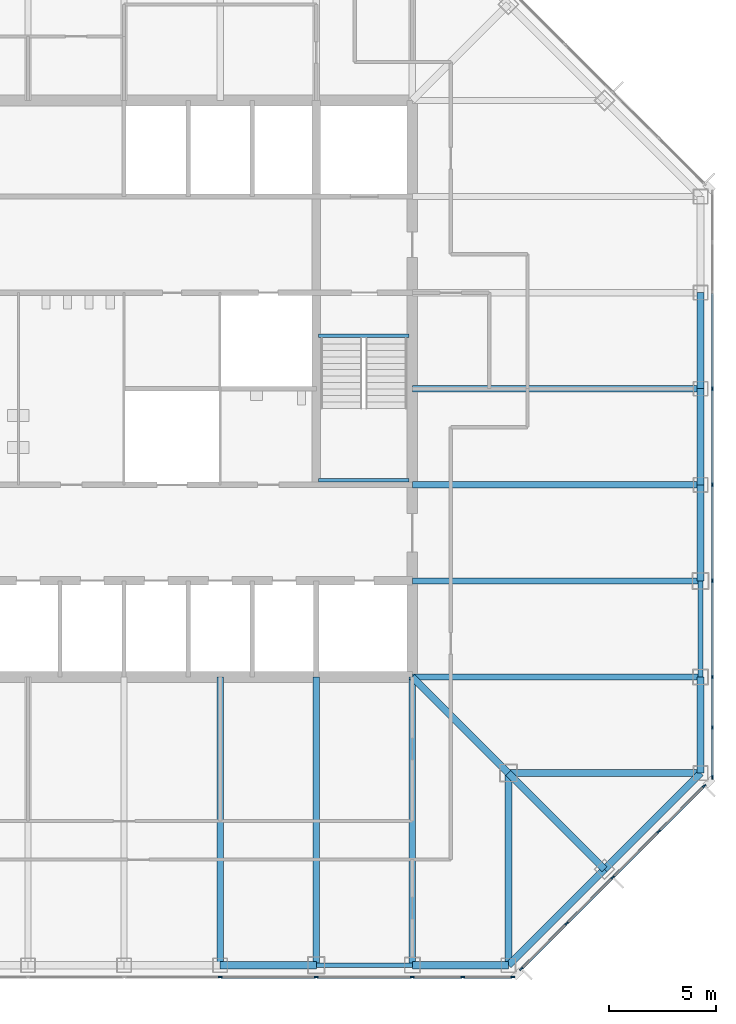
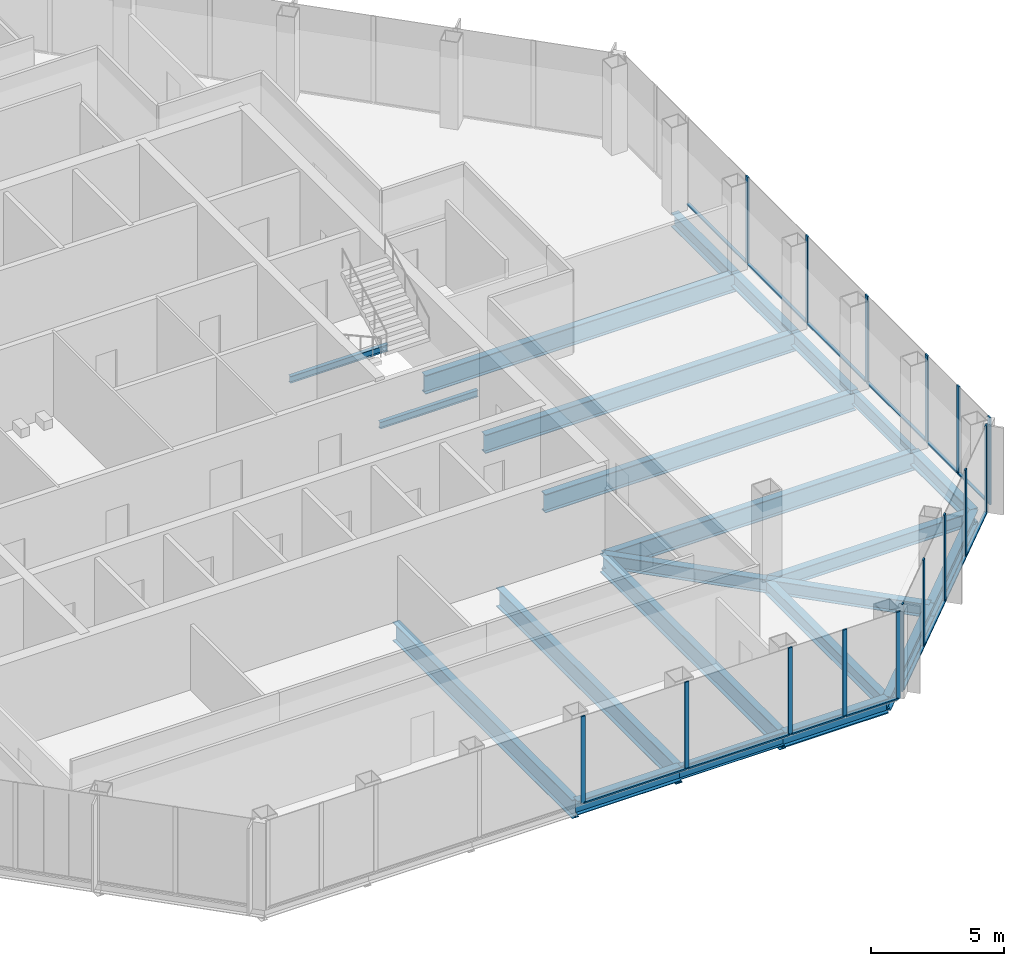
# One storey, part 4 of 13: 30 members, 23 beams, 3 elements without a shape of their own.
"""IFC4 building model written with IfcOpenShell, lengths in metres."""

from ifc_helpers import new_model, si_unit, direction, frame, origin, origin_2d, place, context, subcontext, project, spatial, rectangle, i_section, extrude, material, material_profile, profile_set, type_object, element, aggregate, save


model = new_model("IFC4")

# Units and contexts
model_context = context("Model", 3, precision=1e-05, world=origin(), true_north=direction((0.0, 1.0)))
body_context = subcontext(model_context, "Body", "Model", "MODEL_VIEW")
ifc_project = project(units=[si_unit("LENGTHUNIT", "METRE"), si_unit("AREAUNIT", "SQUARE_METRE"), si_unit("VOLUMEUNIT", "CUBIC_METRE"), si_unit("PLANEANGLEUNIT", "RADIAN"), si_unit("MASSUNIT", "GRAM", prefix="KILO")], contexts=[model_context])

# Site, building, storey
site_placement = place(None, origin())
site = spatial("IfcSite", under=ifc_project, at=site_placement, CompositionType="ELEMENT")
building_placement = place(site_placement, origin())
building = spatial("IfcBuilding", under=site, at=building_placement, Name="Corais Broadcast Tower", CompositionType="ELEMENT")
storey_placement = place(building_placement, frame((0.0, 0.0, 171.60009765625)))
storey = spatial("IfcBuildingStorey", under=building, at=storey_placement, Name="L39", CompositionType="ELEMENT", Elevation=171.60009765625)

# Beams
ifc_material_1 = material(Name="Steel ASTM A572 Grade 50", Category="steel")
ifc_material_profile_1 = material_profile(ifc_material_1, i_section(OverallWidth=0.323974609375, OverallDepth=0.611083984375, WebThickness=0.0126953125, FlangeThickness=0.01904296875, at=origin_2d()), Name="W610x155")
ifc_profile_set_1 = profile_set([ifc_material_profile_1], Name="Steel ASTM A572 Grade 50")
beam_type_1 = type_object("IfcBeamType", Name="Chamfer tie W610x155", PredefinedType="BEAM", material=ifc_profile_set_1)
beam_1_placement = place(storey_placement, frame((49.5, 4.5, -0.465576171875), z_axis=(-0.707106781187, 0.707106781187, 0.0), x_axis=(-0.707106781187, -0.707106781187, 0.0)))
element("IfcBeam", 1, at=beam_1_placement, inside=storey, type_object=beam_type_1, Name="B5 B/14 to C/13", PredefinedType="BEAM", context=body_context, shape_type="SweptSolid", body=[
    extrude(i_section(OverallWidth=0.323974609375, OverallDepth=0.611083984375, WebThickness=0.0126953125, FlangeThickness=0.01904296875, at=origin_2d()), origin(), (0.0, 0.0, 1.0), 6.364013671875),
])
ifc_material_2 = material(Name="Steel ASTM A572 Grade 50", Category="steel")
ifc_material_profile_2 = material_profile(ifc_material_2, i_section(OverallWidth=0.323974609375, OverallDepth=0.611083984375, WebThickness=0.0126953125, FlangeThickness=0.01904296875, at=origin_2d()), Name="W610x155")
ifc_profile_set_2 = profile_set([ifc_material_profile_2], Name="Steel ASTM A572 Grade 50")
beam_type_2 = type_object("IfcBeamType", Name="Corner diagonal W610x155", PredefinedType="BEAM", material=ifc_profile_set_2)
beam_2_placement = place(storey_placement, frame((45.0, 9.0, -0.465576171875), z_axis=(-0.707106781187, 0.707106781187, 0.0), x_axis=(-0.707106781187, -0.707106781187, 0.0)))
element("IfcBeam", 2, at=beam_2_placement, inside=storey, type_object=beam_type_2, Name="B6 C/13 to D/12", PredefinedType="BEAM", context=body_context, shape_type="SweptSolid", body=[
    extrude(i_section(OverallWidth=0.323974609375, OverallDepth=0.611083984375, WebThickness=0.0126953125, FlangeThickness=0.01904296875, at=origin_2d()), origin(), (0.0, 0.0, 1.0), 6.364013671875),
])
ifc_material_3 = material(Name="Steel ASTM A572 Grade 50", Category="steel")
ifc_material_profile_3 = material_profile(ifc_material_3, i_section(OverallWidth=0.323974609375, OverallDepth=0.611083984375, WebThickness=0.0126953125, FlangeThickness=0.01904296875, at=origin_2d()), Name="W610x155")
ifc_profile_set_3 = profile_set([ifc_material_profile_3], Name="Steel ASTM A572 Grade 50")
beam_type_3 = type_object("IfcBeamType", Name="Corner girder W610x155", PredefinedType="BEAM", material=ifc_profile_set_3)
for number, where, z_axis, x_axis, name in (
    (3, (45.0, 0.0, -0.465576171875), (0.0, 1.0, 0.0), (-1.0, 0.0, 0.0), "B4 A/13 to C/13"),
    (4, (54.0, 9.0, -0.465576171875), (-1.0, 0.0, 0.0), (0.0, -1.0, 0.0), "B4 C/15 to C/13"),
):
    element("IfcBeam", number, at=place(storey_placement, frame(where, z_axis=z_axis, x_axis=x_axis)), inside=storey, type_object=beam_type_3, Name=name, PredefinedType="BEAM", context=body_context, shape_type="SweptSolid", body=[
        extrude(i_section(OverallWidth=0.323974609375, OverallDepth=0.611083984375, WebThickness=0.0126953125, FlangeThickness=0.01904296875, at=origin_2d()), origin(), (0.0, 0.0, 1.0), 9.0),
    ])
ifc_material_4 = material(Name="Steel ASTM A572 Grade 50", Category="steel")
ifc_material_profile_4 = material_profile(ifc_material_4, i_section(OverallWidth=0.337890625, OverallDepth=0.677978515625, WebThickness=0.029541015625, FlangeThickness=0.052978515625, at=origin_2d()), Name="W610x415")
ifc_profile_set_4 = profile_set([ifc_material_profile_4], Name="Steel ASTM A572 Grade 50")
beam_type_4 = type_object("IfcBeamType", Name="Corner spandrel W610x415", PredefinedType="BEAM", material=ifc_profile_set_4)
for number, where, z_axis, x_axis, name in (
    (5, (40.5, 0.0, -0.4990234375), (1.0, 0.0, 0.0), (0.0, 1.0, 0.0), "SB10 A/12 to A/13"),
    (6, (54.0, 9.0, -0.4990234375), (0.0, 1.0, 0.0), (-1.0, 0.0, 0.0), "SB10 C/15 to D/15"),
):
    element("IfcBeam", number, at=place(storey_placement, frame(where, z_axis=z_axis, x_axis=x_axis)), inside=storey, type_object=beam_type_4, Name=name, PredefinedType="BEAM", context=body_context, shape_type="SweptSolid", body=[
        extrude(i_section(OverallWidth=0.337890625, OverallDepth=0.677978515625, WebThickness=0.029541015625, FlangeThickness=0.052978515625, at=origin_2d()), origin(), (0.0, 0.0, 1.0), 4.5),
    ])
ifc_material_5 = material(Name="Steel ASTM A572 Grade 50", Category="steel")
ifc_material_profile_5 = material_profile(ifc_material_5, i_section(OverallWidth=0.2939453125, OverallDepth=0.85107421875, WebThickness=0.01611328125, FlangeThickness=0.02685546875, at=origin_2d()), Name="W840x226")
ifc_profile_set_5 = profile_set([ifc_material_profile_5], Name="Steel ASTM A572 Grade 50")
beam_type_5 = type_object("IfcBeamType", Name="Floor beam W840x226", PredefinedType="BEAM", material=ifc_profile_set_5)
for number, where, z_axis, x_axis, name in (
    (7, (31.5, 0.0, -0.585693359375), (0.0, 1.0, 0.0), (-1.0, 0.0, 0.0), "B1 A/10 to D/10"),
    (8, (36.0, 0.0, -0.585693359375), (0.0, 1.0, 0.0), (-1.0, 0.0, 0.0), "B1 A/11 to D/11"),
    (9, (40.5, 0.0, -0.585693359375), (0.0, 1.0, 0.0), (-1.0, 0.0, 0.0), "B1 A/12 to D/12"),
    (10, (54.0, 13.5, -0.585693359375), (-1.0, 0.0, 0.0), (0.0, -1.0, 0.0), "B1 D/15 to D/12"),
    (11, (54.0, 18.0, -0.585693359375), (-1.0, 0.0, 0.0), (0.0, -1.0, 0.0), "B1 E/15 to E/12"),
    (12, (54.0, 22.5, -0.585693359375), (-1.0, 0.0, 0.0), (0.0, -1.0, 0.0), "B1 F/15 to F/12"),
    (13, (54.0, 27.0, -0.585693359375), (-1.0, 0.0, 0.0), (0.0, -1.0, 0.0), "B1 G/15 to G/12"),
):
    element("IfcBeam", number, at=place(storey_placement, frame(where, z_axis=z_axis, x_axis=x_axis)), inside=storey, type_object=beam_type_5, Name=name, PredefinedType="BEAM", context=body_context, shape_type="SweptSolid", body=[
        extrude(i_section(OverallWidth=0.2939453125, OverallDepth=0.85107421875, WebThickness=0.01611328125, FlangeThickness=0.02685546875, at=origin_2d()), origin(), (0.0, 0.0, 1.0), 13.5),
    ])
ifc_material_6 = material(Name="Steel ASTM A572 Grade 50", Category="steel")
ifc_material_profile_6 = material_profile(ifc_material_6, i_section(OverallWidth=0.1650390625, OverallDepth=0.31005859375, WebThickness=0.005859375, FlangeThickness=0.009765625, at=origin_2d()), Name="W310x38.7")
ifc_profile_set_6 = profile_set([ifc_material_profile_6], Name="Steel ASTM A572 Grade 50")
beam_type_6 = type_object("IfcBeamType", Name="Landing trimmer W310x38.7", PredefinedType="BEAM", material=ifc_profile_set_6)
for number, where, z_axis, x_axis, name in (
    (14, (36.10009765625, 29.47509765625, -0.35498046875), (1.0, 0.0, 0.0), (0.0, 1.0, 0.0), "LT1 stair B landing trimmer L39"),
    (15, (36.10009765625, 22.715087890625, 1.64501953125), (1.0, 0.0, 0.0), (0.0, 1.0, 0.0), "LT1 stair B half landing trimmer L39"),
):
    element("IfcBeam", number, at=place(storey_placement, frame(where, z_axis=z_axis, x_axis=x_axis)), inside=storey, type_object=beam_type_6, Name=name, PredefinedType="BEAM", context=body_context, shape_type="SweptSolid", body=[
        extrude(i_section(OverallWidth=0.1650390625, OverallDepth=0.31005859375, WebThickness=0.005859375, FlangeThickness=0.009765625, at=origin_2d()), origin(), (0.0, 0.0, 1.0), 4.25),
    ])

# Curtain wall, members
ifc_material_7 = material(Name="Aluminium and glass", Category="aluminium")
curtain_wall_type = type_object("IfcCurtainWallType", Name="Unitised fritted curtain wall CW2", PredefinedType="NOTDEFINED", material=ifc_material_7)
curtain_wall_1_placement = place(storey_placement, origin())
curtain_wall_1 = element("IfcCurtainWall", 16, at=curtain_wall_1_placement, inside=storey, type_object=curtain_wall_type, Name="CW2 curtain wall L39 6", PredefinedType="NOTDEFINED")
ifc_material_8 = material(Name="Aluminium 6063-T6", Category="aluminium")
ifc_material_profile_7 = material_profile(ifc_material_8, rectangle(XDim=0.06494140625, YDim=0.179931640625, at=origin_2d()), Name="Mullion CW2 65x180")
ifc_profile_set_7 = profile_set([ifc_material_profile_7], Name="Aluminium 6063-T6")
member_type_1 = type_object("IfcMemberType", Name="Mullion CW2 65x180", PredefinedType="MULLION", material=ifc_profile_set_7)
member_1_placement = place(storey_placement, frame((54.550048828125, 27.0, 0.0), z_axis=(0.0, 0.0, 1.0), x_axis=(1.0, 0.0, 0.0)))
member_1 = element("IfcMember", 17, at=member_1_placement, type_object=member_type_1, Name="CW2 mullion 4", PredefinedType="MULLION", context=body_context, shape_type="SweptSolid", body=[
    extrude(rectangle(XDim=0.06494140625, YDim=0.179931640625, at=origin_2d()), origin(), (0.0, 0.0, 1.0), 4.0),
])
member_2_placement = place(storey_placement, frame((54.550048828125, 22.5, 0.0), z_axis=(0.0, 0.0, 1.0), x_axis=(1.0, 0.0, 0.0)))
member_2 = element("IfcMember", 18, at=member_2_placement, type_object=member_type_1, Name="CW2 mullion 5", PredefinedType="MULLION", context=body_context, shape_type="SweptSolid", body=[
    extrude(rectangle(XDim=0.06494140625, YDim=0.179931640625, at=origin_2d()), origin(), (0.0, 0.0, 1.0), 4.0),
])
member_3_placement = place(storey_placement, frame((54.550048828125, 18.0, 0.0), z_axis=(0.0, 0.0, 1.0), x_axis=(1.0, 0.0, 0.0)))
member_3 = element("IfcMember", 19, at=member_3_placement, type_object=member_type_1, Name="CW2 mullion 6", PredefinedType="MULLION", context=body_context, shape_type="SweptSolid", body=[
    extrude(rectangle(XDim=0.06494140625, YDim=0.179931640625, at=origin_2d()), origin(), (0.0, 0.0, 1.0), 4.0),
])
member_4_placement = place(storey_placement, frame((54.550048828125, 13.5, 0.0), z_axis=(0.0, 0.0, 1.0), x_axis=(1.0, 0.0, 0.0)))
member_4 = element("IfcMember", 20, at=member_4_placement, type_object=member_type_1, Name="CW2 mullion 7", PredefinedType="MULLION", context=body_context, shape_type="SweptSolid", body=[
    extrude(rectangle(XDim=0.06494140625, YDim=0.179931640625, at=origin_2d()), origin(), (0.0, 0.0, 1.0), 4.0),
])
member_5_placement = place(storey_placement, frame((54.550048828125, 11.135986328125, 0.0), z_axis=(0.0, 0.0, 1.0), x_axis=(1.0, 0.0, 0.0)))
member_5 = element("IfcMember", 21, at=member_5_placement, type_object=member_type_1, Name="CW2 mullion 8", PredefinedType="MULLION", context=body_context, shape_type="SweptSolid", body=[
    extrude(rectangle(XDim=0.06494140625, YDim=0.179931640625, at=origin_2d()), origin(), (0.0, 0.0, 1.0), 4.0),
])
member_6_placement = place(storey_placement, frame((54.550048828125, 8.8046875, 0.0), z_axis=(0.0, 0.0, 1.0), x_axis=(1.0, 0.0, 0.0)))
member_6 = element("IfcMember", 22, at=member_6_placement, type_object=member_type_1, Name="CW2 mullion 9", PredefinedType="MULLION", context=body_context, shape_type="SweptSolid", body=[
    extrude(rectangle(XDim=0.06494140625, YDim=0.179931640625, at=origin_2d()), origin(), (0.0, 0.0, 1.0), 4.0),
])

curtain_wall_2_placement = place(storey_placement, origin())
curtain_wall_2 = element("IfcCurtainWall", 23, at=curtain_wall_2_placement, inside=storey, type_object=curtain_wall_type, Name="CW2 curtain wall L39 7", PredefinedType="NOTDEFINED")
member_7_placement = place(storey_placement, frame((54.17333984375, 8.3955078125, 0.0), z_axis=(0.0, 0.0, 1.0), x_axis=(0.707106781187, -0.707106781187, 0.0)))
member_7 = element("IfcMember", 24, at=member_7_placement, type_object=member_type_1, Name="CW2 mullion 1", PredefinedType="MULLION", context=body_context, shape_type="SweptSolid", body=[
    extrude(rectangle(XDim=0.06494140625, YDim=0.179931640625, at=origin_2d()), origin(), (0.0, 0.0, 1.0), 4.0),
])
member_8_placement = place(storey_placement, frame((52.042724609375, 6.264892578125, 0.0), z_axis=(0.0, 0.0, 1.0), x_axis=(0.707106781187, -0.707106781187, 0.0)))
member_8 = element("IfcMember", 25, at=member_8_placement, type_object=member_type_1, Name="CW2 mullion 2", PredefinedType="MULLION", context=body_context, shape_type="SweptSolid", body=[
    extrude(rectangle(XDim=0.06494140625, YDim=0.179931640625, at=origin_2d()), origin(), (0.0, 0.0, 1.0), 4.0),
])
member_9_placement = place(storey_placement, frame((49.888916015625, 4.111083984375, 0.0), z_axis=(0.0, 0.0, 1.0), x_axis=(0.707106781187, -0.707106781187, 0.0)))
member_9 = element("IfcMember", 26, at=member_9_placement, type_object=member_type_1, Name="CW2 mullion 3", PredefinedType="MULLION", context=body_context, shape_type="SweptSolid", body=[
    extrude(rectangle(XDim=0.06494140625, YDim=0.179931640625, at=origin_2d()), origin(), (0.0, 0.0, 1.0), 4.0),
])
member_10_placement = place(storey_placement, frame((47.735107421875, 1.957275390625, 0.0), z_axis=(0.0, 0.0, 1.0), x_axis=(0.707106781187, -0.707106781187, 0.0)))
member_10 = element("IfcMember", 27, at=member_10_placement, type_object=member_type_1, Name="CW2 mullion 4", PredefinedType="MULLION", context=body_context, shape_type="SweptSolid", body=[
    extrude(rectangle(XDim=0.06494140625, YDim=0.179931640625, at=origin_2d()), origin(), (0.0, 0.0, 1.0), 4.0),
])
member_11_placement = place(storey_placement, frame((45.6044921875, -0.17333984375, 0.0), z_axis=(0.0, 0.0, 1.0), x_axis=(0.707106781187, -0.707106781187, 0.0)))
member_11 = element("IfcMember", 28, at=member_11_placement, type_object=member_type_1, Name="CW2 mullion 5", PredefinedType="MULLION", context=body_context, shape_type="SweptSolid", body=[
    extrude(rectangle(XDim=0.06494140625, YDim=0.179931640625, at=origin_2d()), origin(), (0.0, 0.0, 1.0), 4.0),
])

curtain_wall_3_placement = place(storey_placement, origin())
curtain_wall_3 = element("IfcCurtainWall", 29, at=curtain_wall_3_placement, inside=storey, type_object=curtain_wall_type, Name="CW2 curtain wall L39 8", PredefinedType="NOTDEFINED")
member_12_placement = place(storey_placement, frame((45.1953125, -0.550048828125, 0.0), z_axis=(0.0, 0.0, 1.0), x_axis=(0.0, -1.0, 0.0)))
member_12 = element("IfcMember", 30, at=member_12_placement, type_object=member_type_1, Name="CW2 mullion 1", PredefinedType="MULLION", context=body_context, shape_type="SweptSolid", body=[
    extrude(rectangle(XDim=0.06494140625, YDim=0.179931640625, at=origin_2d()), origin(), (0.0, 0.0, 1.0), 4.0),
])
member_13_placement = place(storey_placement, frame((42.864013671875, -0.550048828125, 0.0), z_axis=(0.0, 0.0, 1.0), x_axis=(0.0, -1.0, 0.0)))
member_13 = element("IfcMember", 31, at=member_13_placement, type_object=member_type_1, Name="CW2 mullion 2", PredefinedType="MULLION", context=body_context, shape_type="SweptSolid", body=[
    extrude(rectangle(XDim=0.06494140625, YDim=0.179931640625, at=origin_2d()), origin(), (0.0, 0.0, 1.0), 4.0),
])
member_14_placement = place(storey_placement, frame((40.5, -0.550048828125, 0.0), z_axis=(0.0, 0.0, 1.0), x_axis=(0.0, -1.0, 0.0)))
member_14 = element("IfcMember", 32, at=member_14_placement, type_object=member_type_1, Name="CW2 mullion 3", PredefinedType="MULLION", context=body_context, shape_type="SweptSolid", body=[
    extrude(rectangle(XDim=0.06494140625, YDim=0.179931640625, at=origin_2d()), origin(), (0.0, 0.0, 1.0), 4.0),
])
member_15_placement = place(storey_placement, frame((36.0, -0.550048828125, 0.0), z_axis=(0.0, 0.0, 1.0), x_axis=(0.0, -1.0, 0.0)))
member_15 = element("IfcMember", 33, at=member_15_placement, type_object=member_type_1, Name="CW2 mullion 4", PredefinedType="MULLION", context=body_context, shape_type="SweptSolid", body=[
    extrude(rectangle(XDim=0.06494140625, YDim=0.179931640625, at=origin_2d()), origin(), (0.0, 0.0, 1.0), 4.0),
])
member_16_placement = place(storey_placement, frame((31.5, -0.550048828125, 0.0), z_axis=(0.0, 0.0, 1.0), x_axis=(0.0, -1.0, 0.0)))
member_16 = element("IfcMember", 34, at=member_16_placement, type_object=member_type_1, Name="CW2 mullion 5", PredefinedType="MULLION", context=body_context, shape_type="SweptSolid", body=[
    extrude(rectangle(XDim=0.06494140625, YDim=0.179931640625, at=origin_2d()), origin(), (0.0, 0.0, 1.0), 4.0),
])

# Beams
ifc_material_9 = material(Name="Steel ASTM A572 Grade 50", Category="steel")
ifc_material_profile_8 = material_profile(ifc_material_9, i_section(OverallWidth=0.22900390625, OverallDepth=0.612060546875, WebThickness=0.011962890625, FlangeThickness=0.01953125, at=origin_2d()), Name="W610x125")
ifc_profile_set_8 = profile_set([ifc_material_profile_8], Name="Steel ASTM A572 Grade 50")
beam_type_7 = type_object("IfcBeamType", Name="Pinned spandrel W610x125", PredefinedType="BEAM", material=ifc_profile_set_8)
for number, where, z_axis, x_axis, name in (
    (35, (36.0, 0.0, -0.466064453125), (1.0, 0.0, 0.0), (0.0, 1.0, 0.0), "SB7 A/11 to A/12"),
    (36, (54.0, 13.5, -0.466064453125), (0.0, 1.0, 0.0), (-1.0, 0.0, 0.0), "SB7 D/15 to E/15"),
):
    element("IfcBeam", number, at=place(storey_placement, frame(where, z_axis=z_axis, x_axis=x_axis)), inside=storey, type_object=beam_type_7, Name=name, PredefinedType="BEAM", context=body_context, shape_type="SweptSolid", body=[
        extrude(i_section(OverallWidth=0.22900390625, OverallDepth=0.612060546875, WebThickness=0.011962890625, FlangeThickness=0.01953125, at=origin_2d()), origin(), (0.0, 0.0, 1.0), 4.5),
    ])
ifc_material_10 = material(Name="Steel ASTM A572 Grade 50", Category="steel")
ifc_material_profile_9 = material_profile(ifc_material_10, i_section(OverallWidth=0.3291015625, OverallDepth=0.635009765625, WebThickness=0.017822265625, FlangeThickness=0.031005859375, at=origin_2d()), Name="W610x241")
ifc_profile_set_9 = profile_set([ifc_material_profile_9], Name="Steel ASTM A572 Grade 50")
beam_type_8 = type_object("IfcBeamType", Name="Spandrel W610x241", PredefinedType="BEAM", material=ifc_profile_set_9)
beam_3_placement = place(storey_placement, frame((31.5, 0.0, -0.4775390625), z_axis=(1.0, 0.0, 0.0), x_axis=(0.0, 1.0, 0.0)))
element("IfcBeam", 37, at=beam_3_placement, inside=storey, type_object=beam_type_8, Name="SB1 A/10 to A/11", PredefinedType="BEAM", context=body_context, shape_type="SweptSolid", body=[
    extrude(i_section(OverallWidth=0.3291015625, OverallDepth=0.635009765625, WebThickness=0.017822265625, FlangeThickness=0.031005859375, at=origin_2d()), origin(), (0.0, 0.0, 1.0), 4.5),
])
for number, where, z_axis, x_axis, name in (
    (38, (45.0, 0.0, -0.4775390625), (0.707106781187, 0.707106781187, 0.0), (-0.707106781187, 0.707106781187, 0.0), "SB1 A/13 to B/14"),
    (39, (49.5, 4.5, -0.4775390625), (0.707106781187, 0.707106781187, 0.0), (-0.707106781187, 0.707106781187, 0.0), "SB1 B/14 to C/15"),
):
    element("IfcBeam", number, at=place(storey_placement, frame(where, z_axis=z_axis, x_axis=x_axis)), inside=storey, type_object=beam_type_8, Name=name, PredefinedType="BEAM", context=body_context, shape_type="SweptSolid", body=[
        extrude(i_section(OverallWidth=0.3291015625, OverallDepth=0.635009765625, WebThickness=0.017822265625, FlangeThickness=0.031005859375, at=origin_2d()), origin(), (0.0, 0.0, 1.0), 6.364013671875),
    ])
for number, where, z_axis, x_axis, name in (
    (40, (54.0, 18.0, -0.4775390625), (0.0, 1.0, 0.0), (-1.0, 0.0, 0.0), "SB1 E/15 to F/15"),
    (41, (54.0, 22.5, -0.4775390625), (0.0, 1.0, 0.0), (-1.0, 0.0, 0.0), "SB1 F/15 to G/15"),
    (42, (54.0, 27.0, -0.4775390625), (0.0, 1.0, 0.0), (-1.0, 0.0, 0.0), "SB1 G/15 to H/15"),
):
    element("IfcBeam", number, at=place(storey_placement, frame(where, z_axis=z_axis, x_axis=x_axis)), inside=storey, type_object=beam_type_8, Name=name, PredefinedType="BEAM", context=body_context, shape_type="SweptSolid", body=[
        extrude(i_section(OverallWidth=0.3291015625, OverallDepth=0.635009765625, WebThickness=0.017822265625, FlangeThickness=0.031005859375, at=origin_2d()), origin(), (0.0, 0.0, 1.0), 4.5),
    ])

# Member
ifc_material_11 = material(Name="Aluminium 6063-T6", Category="aluminium")
ifc_material_profile_10 = material_profile(ifc_material_11, rectangle(XDim=0.1298828125, YDim=0.06494140625, at=origin_2d()), Name="Transom CW2 65x130")
ifc_profile_set_10 = profile_set([ifc_material_profile_10], Name="Aluminium 6063-T6")
member_type_2 = type_object("IfcMemberType", Name="Transom CW2 65x130", PredefinedType="USERDEFINED", material=ifc_profile_set_10)
member_17_placement = place(storey_placement, frame((54.550048828125, 31.467529296875, 0.032470703125), z_axis=(0.0, -1.0, 0.0), x_axis=(1.0, 0.0, 0.0)))
member_17 = element("IfcMember", 43, at=member_17_placement, type_object=member_type_2, Name="CW2 transom 3.1", ObjectType="TRANSOM", PredefinedType="USERDEFINED", context=body_context, shape_type="SweptSolid", body=[
    extrude(rectangle(XDim=0.1298828125, YDim=0.06494140625, at=origin_2d()), origin(), (0.0, 0.0, 1.0), 4.43505859375),
])

member_18_placement = place(storey_placement, frame((54.550048828125, 26.967529296875, 0.032470703125), z_axis=(0.0, -1.0, 0.0), x_axis=(1.0, 0.0, 0.0)))
member_18 = element("IfcMember", 44, at=member_18_placement, type_object=member_type_2, Name="CW2 transom 4.1", ObjectType="TRANSOM", PredefinedType="USERDEFINED", context=body_context, shape_type="SweptSolid", body=[
    extrude(rectangle(XDim=0.1298828125, YDim=0.06494140625, at=origin_2d()), origin(), (0.0, 0.0, 1.0), 4.43505859375),
])

member_19_placement = place(storey_placement, frame((54.550048828125, 22.467529296875, 0.032470703125), z_axis=(0.0, -1.0, 0.0), x_axis=(1.0, 0.0, 0.0)))
member_19 = element("IfcMember", 45, at=member_19_placement, type_object=member_type_2, Name="CW2 transom 5.1", ObjectType="TRANSOM", PredefinedType="USERDEFINED", context=body_context, shape_type="SweptSolid", body=[
    extrude(rectangle(XDim=0.1298828125, YDim=0.06494140625, at=origin_2d()), origin(), (0.0, 0.0, 1.0), 4.43505859375),
])

member_20_placement = place(storey_placement, frame((54.550048828125, 17.967529296875, 0.032470703125), z_axis=(0.0, -1.0, 0.0), x_axis=(1.0, 0.0, 0.0)))
member_20 = element("IfcMember", 46, at=member_20_placement, type_object=member_type_2, Name="CW2 transom 6.1", ObjectType="TRANSOM", PredefinedType="USERDEFINED", context=body_context, shape_type="SweptSolid", body=[
    extrude(rectangle(XDim=0.1298828125, YDim=0.06494140625, at=origin_2d()), origin(), (0.0, 0.0, 1.0), 4.43505859375),
])

member_21_placement = place(storey_placement, frame((54.550048828125, 13.467529296875, 0.032470703125), z_axis=(0.0, -1.0, 0.0), x_axis=(1.0, 0.0, 0.0)))
member_21 = element("IfcMember", 47, at=member_21_placement, type_object=member_type_2, Name="CW2 transom 7.1", ObjectType="TRANSOM", PredefinedType="USERDEFINED", context=body_context, shape_type="SweptSolid", body=[
    extrude(rectangle(XDim=0.1298828125, YDim=0.06494140625, at=origin_2d()), origin(), (0.0, 0.0, 1.0), 2.298828125),
])

member_22_placement = place(storey_placement, frame((54.550048828125, 11.103515625, 0.032470703125), z_axis=(0.0, -1.0, 0.0), x_axis=(1.0, 0.0, 0.0)))
member_22 = element("IfcMember", 48, at=member_22_placement, type_object=member_type_2, Name="CW2 transom 8.1", ObjectType="TRANSOM", PredefinedType="USERDEFINED", context=body_context, shape_type="SweptSolid", body=[
    extrude(rectangle(XDim=0.1298828125, YDim=0.06494140625, at=origin_2d()), origin(), (0.0, 0.0, 1.0), 2.266357421875),
])

aggregate(curtain_wall_1, [member_1, member_2, member_3, member_4, member_5, member_6, member_17, member_18, member_19, member_20, member_21, member_22])

member_23_placement = place(storey_placement, frame((54.150390625, 8.37255859375, 0.032470703125), z_axis=(-0.707106781187, -0.707106781187, 0.0), x_axis=(0.707106781187, -0.707106781187, 0.0)))
member_23 = element("IfcMember", 49, at=member_23_placement, type_object=member_type_2, Name="CW2 transom 1.1", ObjectType="TRANSOM", PredefinedType="USERDEFINED", context=body_context, shape_type="SweptSolid", body=[
    extrude(rectangle(XDim=0.1298828125, YDim=0.06494140625, at=origin_2d()), origin(), (0.0, 0.0, 1.0), 2.9482421875),
])

member_24_placement = place(storey_placement, frame((52.019775390625, 6.241943359375, 0.032470703125), z_axis=(-0.707106781187, -0.707106781187, 0.0), x_axis=(0.707106781187, -0.707106781187, 0.0)))
member_24 = element("IfcMember", 50, at=member_24_placement, type_object=member_type_2, Name="CW2 transom 2.1", ObjectType="TRANSOM", PredefinedType="USERDEFINED", context=body_context, shape_type="SweptSolid", body=[
    extrude(rectangle(XDim=0.1298828125, YDim=0.06494140625, at=origin_2d()), origin(), (0.0, 0.0, 1.0), 2.98095703125),
])

member_25_placement = place(storey_placement, frame((49.865966796875, 4.088134765625, 0.032470703125), z_axis=(-0.707106781187, -0.707106781187, 0.0), x_axis=(0.707106781187, -0.707106781187, 0.0)))
member_25 = element("IfcMember", 51, at=member_25_placement, type_object=member_type_2, Name="CW2 transom 3.1", ObjectType="TRANSOM", PredefinedType="USERDEFINED", context=body_context, shape_type="SweptSolid", body=[
    extrude(rectangle(XDim=0.1298828125, YDim=0.06494140625, at=origin_2d()), origin(), (0.0, 0.0, 1.0), 2.98095703125),
])

member_26_placement = place(storey_placement, frame((47.712158203125, 1.934326171875, 0.032470703125), z_axis=(-0.707106781187, -0.707106781187, 0.0), x_axis=(0.707106781187, -0.707106781187, 0.0)))
member_26 = element("IfcMember", 52, at=member_26_placement, type_object=member_type_2, Name="CW2 transom 4.1", ObjectType="TRANSOM", PredefinedType="USERDEFINED", context=body_context, shape_type="SweptSolid", body=[
    extrude(rectangle(XDim=0.1298828125, YDim=0.06494140625, at=origin_2d()), origin(), (0.0, 0.0, 1.0), 2.9482421875),
])

aggregate(curtain_wall_2, [member_7, member_8, member_9, member_10, member_11, member_23, member_24, member_25, member_26])

member_27_placement = place(storey_placement, frame((45.162841796875, -0.550048828125, 0.032470703125), z_axis=(-1.0, 0.0, 0.0), x_axis=(0.0, -1.0, 0.0)))
member_27 = element("IfcMember", 53, at=member_27_placement, type_object=member_type_2, Name="CW2 transom 1.1", ObjectType="TRANSOM", PredefinedType="USERDEFINED", context=body_context, shape_type="SweptSolid", body=[
    extrude(rectangle(XDim=0.1298828125, YDim=0.06494140625, at=origin_2d()), origin(), (0.0, 0.0, 1.0), 2.266357421875),
])

member_28_placement = place(storey_placement, frame((42.831298828125, -0.550048828125, 0.032470703125), z_axis=(-1.0, 0.0, 0.0), x_axis=(0.0, -1.0, 0.0)))
member_28 = element("IfcMember", 54, at=member_28_placement, type_object=member_type_2, Name="CW2 transom 2.1", ObjectType="TRANSOM", PredefinedType="USERDEFINED", context=body_context, shape_type="SweptSolid", body=[
    extrude(rectangle(XDim=0.1298828125, YDim=0.06494140625, at=origin_2d()), origin(), (0.0, 0.0, 1.0), 2.298828125),
])

member_29_placement = place(storey_placement, frame((40.467529296875, -0.550048828125, 0.032470703125), z_axis=(-1.0, 0.0, 0.0), x_axis=(0.0, -1.0, 0.0)))
member_29 = element("IfcMember", 55, at=member_29_placement, type_object=member_type_2, Name="CW2 transom 3.1", ObjectType="TRANSOM", PredefinedType="USERDEFINED", context=body_context, shape_type="SweptSolid", body=[
    extrude(rectangle(XDim=0.1298828125, YDim=0.06494140625, at=origin_2d()), origin(), (0.0, 0.0, 1.0), 4.43505859375),
])

member_30_placement = place(storey_placement, frame((35.967529296875, -0.550048828125, 0.032470703125), z_axis=(-1.0, 0.0, 0.0), x_axis=(0.0, -1.0, 0.0)))
member_30 = element("IfcMember", 56, at=member_30_placement, type_object=member_type_2, Name="CW2 transom 4.1", ObjectType="TRANSOM", PredefinedType="USERDEFINED", context=body_context, shape_type="SweptSolid", body=[
    extrude(rectangle(XDim=0.1298828125, YDim=0.06494140625, at=origin_2d()), origin(), (0.0, 0.0, 1.0), 4.43505859375),
])

aggregate(curtain_wall_3, [member_12, member_13, member_14, member_15, member_16, member_27, member_28, member_29, member_30])

save(model, "model.ifc")
